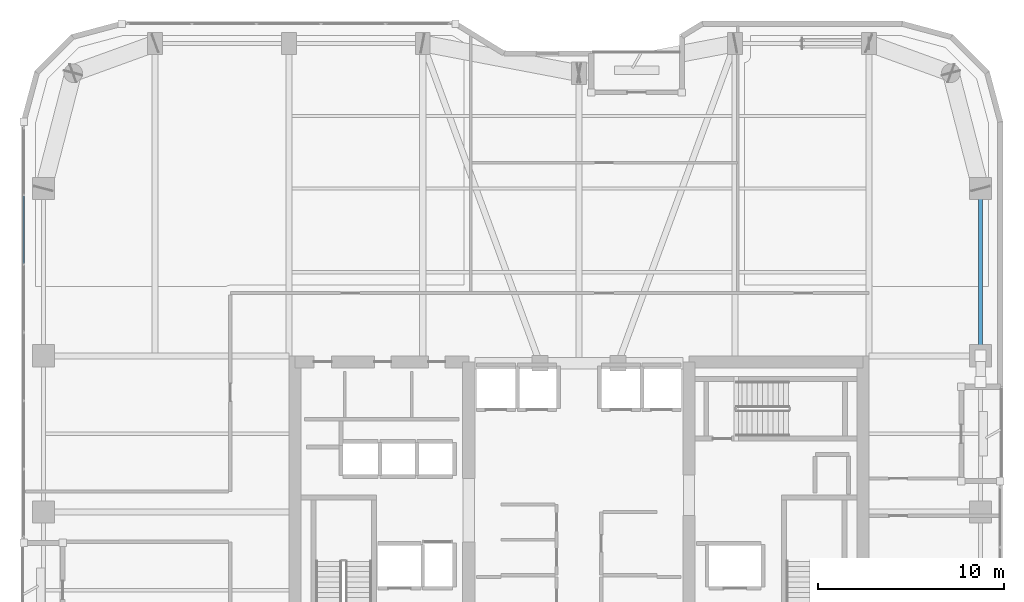
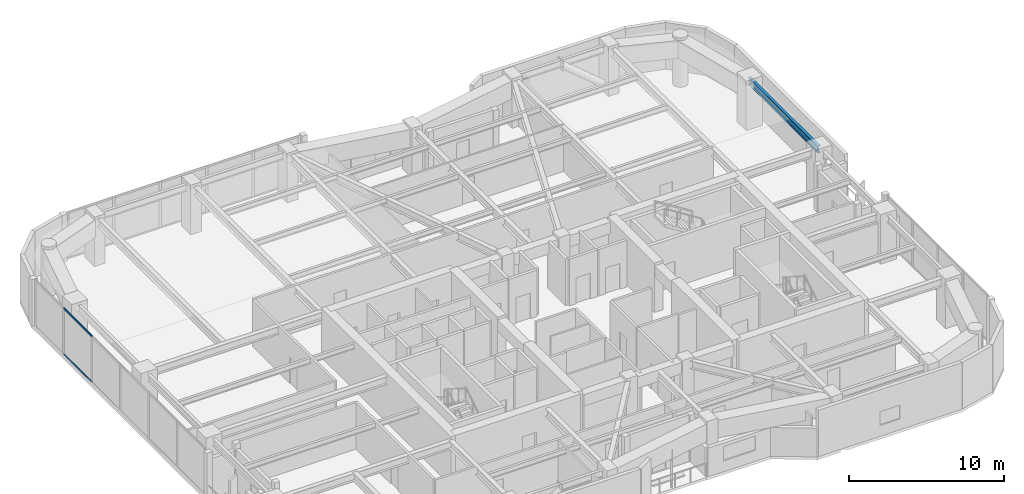
# One storey, part 12 of 30: 2 members, 1 beam, 1 element without a shape of its own.
"""IFC4 building model written with IfcOpenShell, lengths in metres."""

from ifc_helpers import new_model, si_unit, direction, frame, origin, origin_2d, place, context, subcontext, project, spatial, hollow_rectangle, i_section, extrude, material, layer, layer_set, material_profile, profile_set, type_object, element, aggregate, save


model = new_model("IFC4")

# Units and contexts
model_context = context("Model", 3, precision=1e-05, world=origin(), true_north=direction((0.0, 1.0)))
body_context = subcontext(model_context, "Body", "Model", "MODEL_VIEW")
ifc_project = project(units=[si_unit("LENGTHUNIT", "METRE"), si_unit("AREAUNIT", "SQUARE_METRE"), si_unit("VOLUMEUNIT", "CUBIC_METRE"), si_unit("PLANEANGLEUNIT", "RADIAN"), si_unit("MASSUNIT", "GRAM", prefix="KILO")], contexts=[model_context])

# Site, building, storey
site_placement = place(None, origin())
site = spatial("IfcSite", under=ifc_project, at=site_placement, CompositionType="ELEMENT")
building_placement = place(site_placement, origin())
building = spatial("IfcBuilding", under=site, at=building_placement, Name="Kiyonajd Concourse Tower", CompositionType="ELEMENT")
storey_placement = place(building_placement, frame((0.0, 0.0, 198.0)))
storey = spatial("IfcBuildingStorey", under=building, at=storey_placement, Name="L50", CompositionType="ELEMENT", Elevation=198.0)

# Beam
ifc_material_1 = material(Name="Steel ASTM A992 Grade 50", Category="steel")
ifc_material_profile_1 = material_profile(ifc_material_1, i_section(OverallWidth=0.214111328125, OverallDepth=0.549072265625, WebThickness=0.0146484375, FlangeThickness=0.023681640625, at=origin_2d()), Name="W530X138")
ifc_profile_set_1 = profile_set([ifc_material_profile_1], Name="Steel ASTM A992 Grade 50")
beam_type = type_object("IfcBeamType", Name="BM-SPAN-530A", PredefinedType="SPANDREL", material=ifc_profile_set_1)
beam_placement = place(storey_placement, frame((69.60009765625, 44.39990234375, 3.405517578125), z_axis=(0.0, 1.0, 0.0), x_axis=(-1.0, 0.0, 0.0)))
element("IfcBeam", 1, at=beam_placement, inside=storey, type_object=beam_type, Name="L50 Perimeter Bundled Tube Spandrel", PredefinedType="SPANDREL", context=body_context, shape_type="SweptSolid", body=[
    extrude(i_section(OverallWidth=0.214111328125, OverallDepth=0.549072265625, WebThickness=0.0146484375, FlangeThickness=0.023681640625, at=origin_2d()), origin(), (0.0, 0.0, 1.0), 9.0),
])

# Curtain wall, members
ifc_material_2 = material(Name="Thermally Broken Anodised Aluminium", Category="aluminium")
ifc_layer = layer(ifc_material_2, 0.179931640625)
ifc_layer_set = layer_set([ifc_layer], Name="Thermally Broken Anodised Aluminium")
curtain_wall_type = type_object("IfcCurtainWallType", Name="CW-SYS-03", PredefinedType="NOTDEFINED", material=ifc_layer_set)
curtain_wall_placement = place(storey_placement, origin())
curtain_wall = element("IfcCurtainWall", 2, at=curtain_wall_placement, inside=storey, type_object=curtain_wall_type, Name="L50 Unitised Curtain Wall CW3", PredefinedType="NOTDEFINED")
ifc_material_profile_2 = material_profile(ifc_material_2, hollow_rectangle(XDim=0.06494140625, YDim=0.139892578125, WallThickness=0.00390625, at=origin_2d()), Name="TRAN-65x140")
ifc_profile_set_2 = profile_set([ifc_material_profile_2], Name="Thermally Broken Anodised Aluminium")
member_type = type_object("IfcMemberType", Name="MB-CW-TRAN1", PredefinedType="USERDEFINED", material=ifc_profile_set_2)
member_1_placement = place(storey_placement, frame((18.139892578125, 49.3701171875, 0.032470703125), z_axis=(0.0, 1.0, 0.0), x_axis=(-1.0, 0.0, 0.0)))
member_1 = element("IfcMember", 3, at=member_1_placement, type_object=member_type, Name="CW3 transom 5.1", ObjectType="TRANSOM", PredefinedType="USERDEFINED", context=body_context, shape_type="SweptSolid", body=[
    extrude(hollow_rectangle(XDim=0.06494140625, YDim=0.139892578125, WallThickness=0.00390625, at=origin_2d()), origin(), (0.0, 0.0, 1.0), 3.612060546875),
])
member_2_placement = place(storey_placement, frame((18.139892578125, 49.3701171875, 3.6474609375), z_axis=(0.0, 1.0, 0.0), x_axis=(-1.0, 0.0, 0.0)))
member_2 = element("IfcMember", 4, at=member_2_placement, type_object=member_type, Name="CW3 transom 5.2", ObjectType="TRANSOM", PredefinedType="USERDEFINED", context=body_context, shape_type="SweptSolid", body=[
    extrude(hollow_rectangle(XDim=0.06494140625, YDim=0.139892578125, WallThickness=0.00390625, at=origin_2d()), origin(), (0.0, 0.0, 1.0), 3.612060546875),
])
aggregate(curtain_wall, [member_1, member_2])

save(model, "model.ifc")
